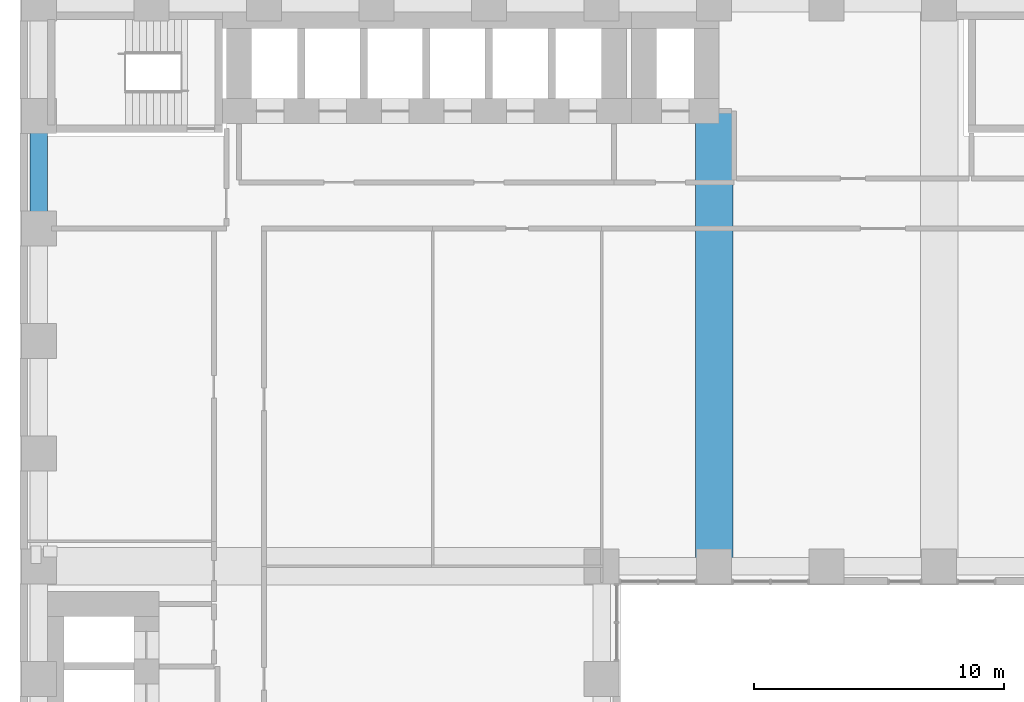
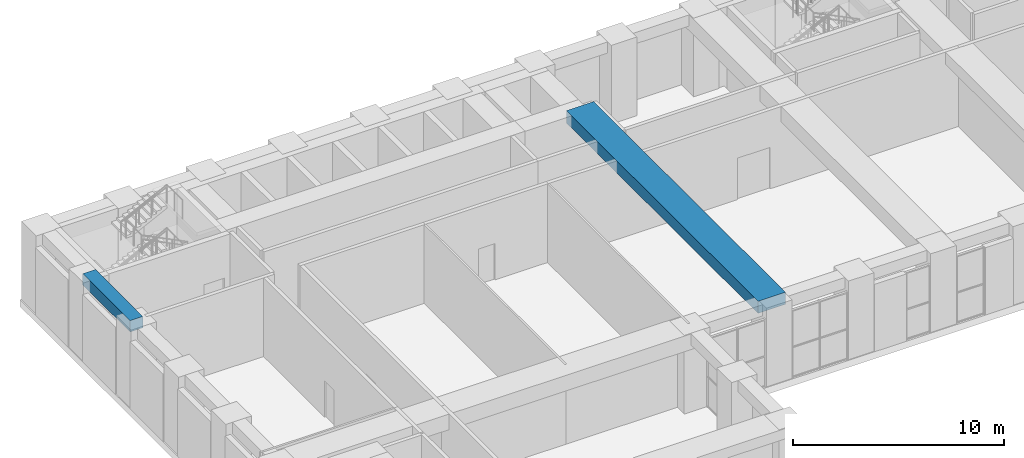
# One storey, part 5 of 34: 2 beams.
"""IFC4 building model written with IfcOpenShell, lengths in metres."""

from ifc_helpers import new_model, si_unit, direction, frame, origin, origin_2d, place, context, subcontext, project, spatial, rectangle, extrude, material, material_profile, profile_set, type_object, element, save


model = new_model("IFC4")

# Units and contexts
model_context = context("Model", 3, precision=1e-05, world=origin(), true_north=direction((0.0, 1.0)))
body_context = subcontext(model_context, "Body", "Model", "MODEL_VIEW")
ifc_project = project(units=[si_unit("LENGTHUNIT", "METRE"), si_unit("AREAUNIT", "SQUARE_METRE"), si_unit("VOLUMEUNIT", "CUBIC_METRE"), si_unit("PLANEANGLEUNIT", "RADIAN"), si_unit("MASSUNIT", "GRAM", prefix="KILO")], contexts=[model_context])

# Site, building, storey
site_placement = place(None, origin())
site = spatial("IfcSite", under=ifc_project, at=site_placement, CompositionType="ELEMENT")
building_placement = place(site_placement, origin())
building = spatial("IfcBuilding", under=site, at=building_placement, Name="Firuza Court", CompositionType="ELEMENT")
storey_placement = place(building_placement, frame((0.0, 0.0, 19.0)))
storey = spatial("IfcBuildingStorey", under=building, at=storey_placement, Name="L03", CompositionType="ELEMENT", Elevation=19.0)

# Beams
ifc_material_1 = material(Name="Concrete C40/50", Category="concrete")
ifc_material_profile_1 = material_profile(ifc_material_1, rectangle(XDim=1.5, YDim=0.699951171875, at=origin_2d()), Name="RC 1500x700")
ifc_profile_set_1 = profile_set([ifc_material_profile_1], Name="Concrete C40/50")
beam_type_1 = type_object("IfcBeamType", Name="Band beam RC 1500x700 C40/50", PredefinedType="BEAM", material=ifc_profile_set_1)
beam_1_placement = place(storey_placement, frame((27.0, 36.0, 4.199951171875), z_axis=(0.0, 1.0, 0.0), x_axis=(-1.0, 0.0, 0.0)))
element("IfcBeam", 1, at=beam_1_placement, inside=storey, type_object=beam_type_1, Name="Band beam FB1 level L04", PredefinedType="BEAM", context=body_context, shape_type="SweptSolid", body=[
    extrude(rectangle(XDim=1.5, YDim=0.699951171875, at=origin_2d()), origin(), (0.0, 0.0, 1.0), 18.199951171875),
])
ifc_material_2 = material(Name="Concrete C40/50", Category="concrete")
ifc_material_profile_2 = material_profile(ifc_material_2, rectangle(XDim=0.699951171875, YDim=0.64990234375, at=origin_2d()), Name="RC 700x650")
ifc_profile_set_2 = profile_set([ifc_material_profile_2], Name="Concrete C40/50")
beam_type_2 = type_object("IfcBeamType", Name="Spandrel beam RC 700x650 C40/50", PredefinedType="BEAM", material=ifc_profile_set_2)
beam_2_placement = place(storey_placement, frame((0.0, 54.0, 4.22509765625), z_axis=(0.0, -1.0, 0.0), x_axis=(1.0, 0.0, 0.0)))
element("IfcBeam", 2, at=beam_2_placement, inside=storey, type_object=beam_type_2, Name="Spandrel beam SP9 level L04", PredefinedType="BEAM", context=body_context, shape_type="SweptSolid", body=[
    extrude(rectangle(XDim=0.699951171875, YDim=0.64990234375, at=origin_2d()), origin(), (0.0, 0.0, 1.0), 4.5),
])

save(model, "model.ifc")
